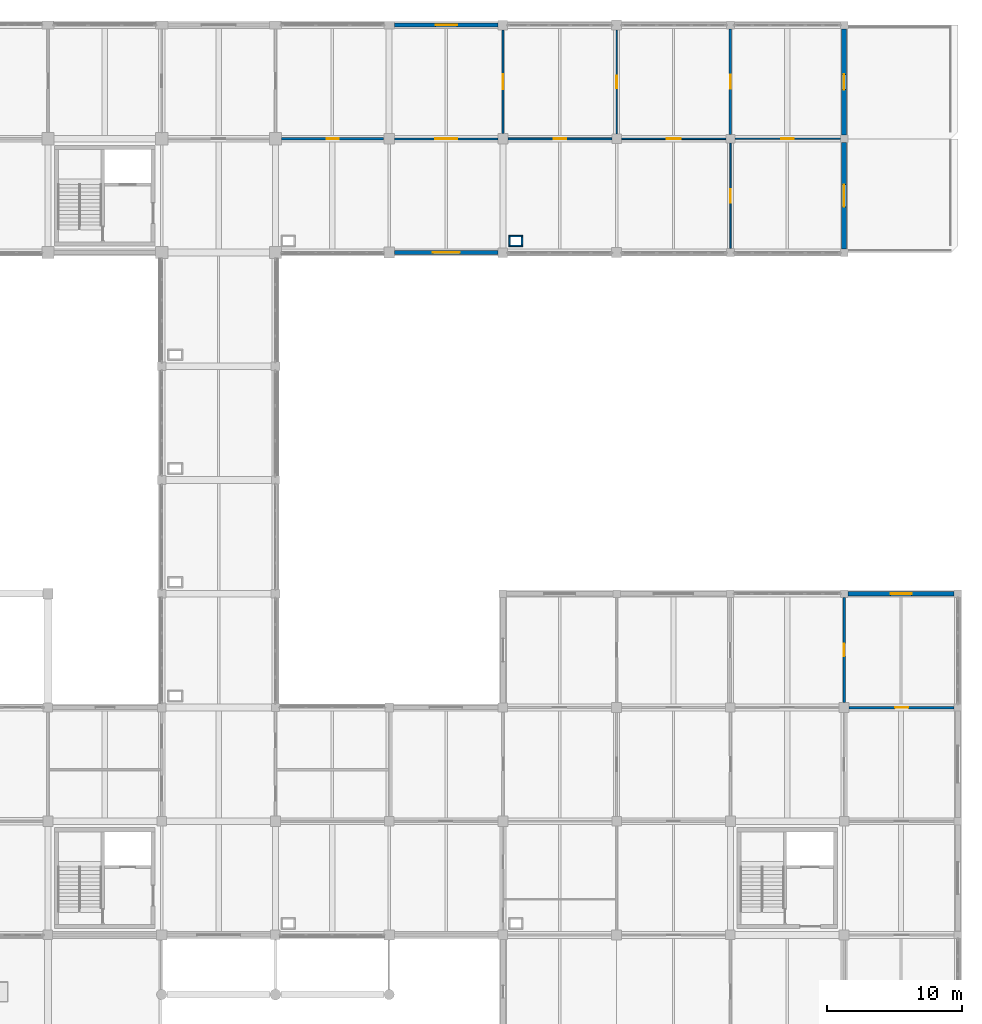
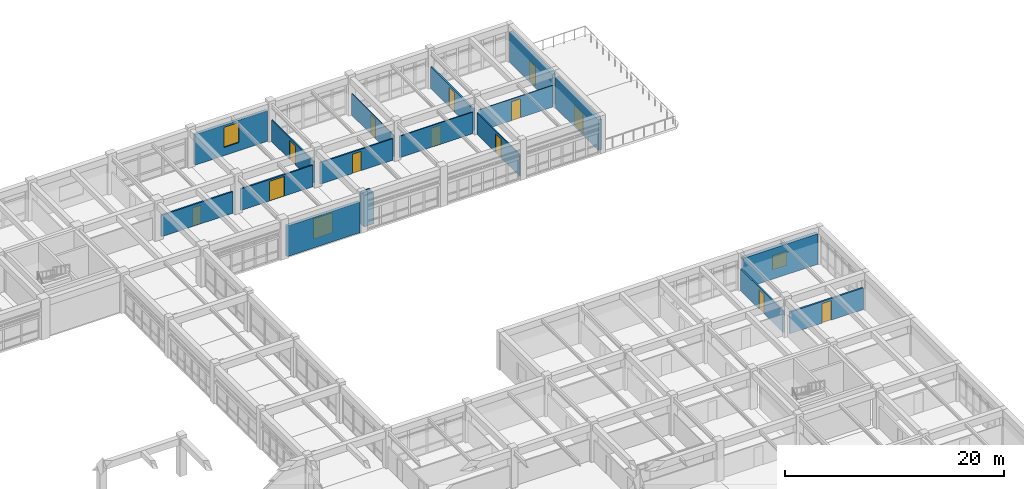
# One storey, part 94 of 99: 20 walls, 13 doors, 3 windows, 16 openings.
"""IFC4 building model written with IfcOpenShell, lengths in metres."""

from ifc_helpers import new_model, si_unit, direction, frame, frame_2d, origin, place, context, subcontext, project, spatial, rectangle, extrude, material, layer, layer_set, type_object, element, fill, save


model = new_model("IFC4")

# Units and contexts
model_context = context("Model", 3, precision=1e-05, world=origin(), true_north=direction((0.0, 1.0)))
body_context = subcontext(model_context, "Body", "Model", "MODEL_VIEW")
ifc_project = project(units=[si_unit("LENGTHUNIT", "METRE"), si_unit("AREAUNIT", "SQUARE_METRE"), si_unit("VOLUMEUNIT", "CUBIC_METRE"), si_unit("PLANEANGLEUNIT", "RADIAN"), si_unit("MASSUNIT", "GRAM", prefix="KILO")], contexts=[model_context])

# Site, building, storey
site_placement = place(None, origin())
site = spatial("IfcSite", under=ifc_project, at=site_placement, CompositionType="ELEMENT")
building_placement = place(site_placement, origin())
building = spatial("IfcBuilding", under=site, at=building_placement, Name="Porcellanite Civic Hall", CompositionType="ELEMENT")
storey_placement = place(building_placement, frame((0.0, 0.0, 5.760009765625)))
storey = spatial("IfcBuildingStorey", under=building, at=storey_placement, Name="L01", CompositionType="ELEMENT", Elevation=5.760009765625)

# Wall, opening, window
ifc_material_1 = material(Name="Precast concrete N40 (40 MPa)", Category="concrete")
ifc_layer_1 = layer(ifc_material_1, 0.300048828125)
ifc_layer_set_1 = layer_set([ifc_layer_1], Name="Precast concrete N40 (40 MPa)")
wall_type_1 = type_object("IfcWallType", Name="EW-ADM300", PredefinedType="SOLIDWALL", material=ifc_layer_set_1)
wall_1_placement = place(storey_placement, frame((142.448974609375, 100.800048828125, 0.0), z_axis=(0.0, 0.0, 1.0), x_axis=(-1.0, 0.0, 0.0)))
wall_1 = element("IfcWall", 1, at=wall_1_placement, inside=storey, type_object=wall_type_1, Name="Exterior wall L01 S 17-13", PredefinedType="SOLIDWALL", context=body_context, shape_type="SweptSolid", body=[
    extrude(rectangle(XDim=7.64794921875, YDim=0.300048828125, at=frame_2d((3.823974609375, 0.0))), origin(), (0.0, 0.0, 1.0), 3.39990234375),
])
opening_1_placement = place(wall_1_placement, frame((2.823974609375, 0.0, 0.89990234375)))
opening_1 = element("IfcOpeningElement", 2, at=opening_1_placement, cuts=wall_1, Name="Opening W20", PredefinedType="OPENING", context=body_context, shape_type="SweptSolid", body=[
    extrude(rectangle(XDim=2.0, YDim=2.25, at=frame_2d((1.0, 1.125))), frame((0.0, 0.14990234375, 0.0), z_axis=(0.0, -1.0, 0.0), x_axis=(1.0, 0.0, 0.0)), (0.0, 0.0, 1.0), 0.300048828125),
])
ifc_material_2 = material(Name="Cyclone laminated low-E glazing in anodised aluminium frame", Category="aluminium")
window_type_1 = type_object("IfcWindowType", Name="WN-20", PartitioningType="DOUBLE_PANEL_VERTICAL", PredefinedType="WINDOW", material=ifc_material_2)
window_1_placement = place(opening_1_placement, origin())
window_1 = element("IfcWindow", 3, at=window_1_placement, inside=storey, type_object=window_type_1, Name="Window W20 L01 S 17-13", OverallHeight=2.25, OverallWidth=2.0, PartitioningType="SINGLE_PANEL", PredefinedType="WINDOW", context=body_context, shape_type="SweptSolid", body=[
    extrude(rectangle(XDim=2.0, YDim=2.25, at=frame_2d((1.0, 1.125))), frame((0.0, 0.030029296875, 0.0), z_axis=(0.0, -1.0, 0.0), x_axis=(1.0, 0.0, 0.0)), (0.0, 0.0, 1.0), 0.06005859375),
])
fill(opening_1, window_1)

wall_2_placement = place(storey_placement, frame((134.801025390625, 117.60009765625, 0.0), z_axis=(0.0, 0.0, 1.0), x_axis=(1.0, 0.0, 0.0)))
wall_2 = element("IfcWall", 4, at=wall_2_placement, inside=storey, type_object=wall_type_1, Name="Exterior wall L01 N 17-14", PredefinedType="SOLIDWALL", context=body_context, shape_type="SweptSolid", body=[
    extrude(rectangle(XDim=7.64794921875, YDim=0.300048828125, at=frame_2d((3.823974609375, 0.0))), origin(), (0.0, 0.0, 1.0), 3.39990234375),
])
opening_2_placement = place(wall_2_placement, frame((3.02392578125, 0.0, 0.89990234375)))
opening_2 = element("IfcOpeningElement", 5, at=opening_2_placement, cuts=wall_2, Name="Opening W21", PredefinedType="OPENING", context=body_context, shape_type="SweptSolid", body=[
    extrude(rectangle(XDim=1.60009765625, YDim=2.25, at=frame_2d((0.800048828125, 1.125))), frame((0.0, 0.14990234375, 0.0), z_axis=(0.0, -1.0, 0.0), x_axis=(1.0, 0.0, 0.0)), (0.0, 0.0, 1.0), 0.300048828125),
])
ifc_material_3 = material(Name="Cyclone laminated low-E glazing in anodised aluminium frame", Category="aluminium")
window_type_2 = type_object("IfcWindowType", Name="WN-21", PartitioningType="DOUBLE_PANEL_VERTICAL", PredefinedType="WINDOW", material=ifc_material_3)
window_2_placement = place(opening_2_placement, origin())
window_2 = element("IfcWindow", 6, at=window_2_placement, inside=storey, type_object=window_type_2, Name="Window W21 L01 N 17-14", OverallHeight=2.25, OverallWidth=1.60009765625, PartitioningType="SINGLE_PANEL", PredefinedType="WINDOW", context=body_context, shape_type="SweptSolid", body=[
    extrude(rectangle(XDim=1.60009765625, YDim=2.25, at=frame_2d((0.800048828125, 1.125))), frame((0.0, 0.030029296875, 0.0), z_axis=(0.0, -1.0, 0.0), x_axis=(1.0, 0.0, 0.0)), (0.0, 0.0, 1.0), 0.06005859375),
])
fill(opening_2, window_2)

# Wall, opening, door
ifc_material_4 = material(Name="Precast concrete N40 (40 MPa)", Category="concrete")
ifc_layer_2 = layer(ifc_material_4, 0.360107421875)
ifc_layer_set_2 = layer_set([ifc_layer_2], Name="Precast concrete N40 (40 MPa)")
wall_type_2 = type_object("IfcWallType", Name="EW-LIB360", PredefinedType="SOLIDWALL", material=ifc_layer_set_2)
wall_3_placement = place(storey_placement, frame((168.0, 108.924072265625, 0.0), z_axis=(0.0, 0.0, 1.0), x_axis=(0.0, -1.0, 0.0)))
wall_3 = element("IfcWall", 7, at=wall_3_placement, inside=storey, type_object=wall_type_2, Name="Exterior wall L01 E 20-13", PredefinedType="SOLIDWALL", context=body_context, shape_type="SweptSolid", body=[
    extrude(rectangle(XDim=7.84814453125, YDim=0.360107421875, at=frame_2d((3.924072265625, 0.0))), origin(), (0.0, 0.0, 1.0), 3.39990234375),
])
opening_3_placement = place(wall_3_placement, frame((3.09912109375, 0.0, 0.0)))
opening_3 = element("IfcOpeningElement", 8, at=opening_3_placement, cuts=wall_3, Name="Opening TD-01", PredefinedType="OPENING", context=body_context, shape_type="SweptSolid", body=[
    extrude(rectangle(XDim=1.64990234375, YDim=2.199951171875, at=frame_2d((0.824951171875, 1.10009765625))), frame((0.0, 0.18017578125, 0.0), z_axis=(0.0, -1.0, 0.0), x_axis=(1.0, 0.0, 0.0)), (0.0, 0.0, 1.0), 0.360107421875),
])
ifc_material_5 = material(Name="Anodised aluminium and laminated safety glass", Category="aluminium")
door_type_1 = type_object("IfcDoorType", Name="DR-TER165", OperationType="DOUBLE_DOOR_SINGLE_SWING", PredefinedType="DOOR", material=ifc_material_5)
door_1_placement = place(opening_3_placement, origin())
door_1 = element("IfcDoor", 9, at=door_1_placement, inside=storey, type_object=door_type_1, Name="Civic terrace door TD-01", OperationType="DOUBLE_DOOR_SINGLE_SWING", OverallHeight=2.199951171875, OverallWidth=1.64990234375, PredefinedType="DOOR", context=body_context, shape_type="SweptSolid", body=[
    extrude(rectangle(XDim=1.64990234375, YDim=2.199951171875, at=frame_2d((0.824951171875, 1.10009765625))), frame((0.0, 0.02490234375, 0.0), z_axis=(0.0, -1.0, 0.0), x_axis=(1.0, 0.0, 0.0)), (0.0, 0.0, 1.0), 0.050048828125),
])
fill(opening_3, door_1)

wall_4_placement = place(storey_placement, frame((168.0, 117.323974609375, 0.0), z_axis=(0.0, 0.0, 1.0), x_axis=(0.0, -1.0, 0.0)))
wall_4 = element("IfcWall", 10, at=wall_4_placement, inside=storey, type_object=wall_type_2, Name="Exterior wall L01 E 20-14", PredefinedType="SOLIDWALL", context=body_context, shape_type="SweptSolid", body=[
    extrude(rectangle(XDim=7.847900390625, YDim=0.360107421875, at=frame_2d((3.923828125, 0.0))), origin(), (0.0, 0.0, 1.0), 3.39990234375),
])
opening_4_placement = place(wall_4_placement, frame((3.364013671875, 0.0, 0.0)))
opening_4 = element("IfcOpeningElement", 11, at=opening_4_placement, cuts=wall_4, Name="Opening TD-02", PredefinedType="OPENING", context=body_context, shape_type="SweptSolid", body=[
    extrude(rectangle(XDim=1.1201171875, YDim=2.199951171875, at=frame_2d((0.56005859375, 1.10009765625))), frame((0.0, 0.18017578125, 0.0), z_axis=(0.0, -1.0, 0.0), x_axis=(1.0, 0.0, 0.0)), (0.0, 0.0, 1.0), 0.360107421875),
])
ifc_material_6 = material(Name="Anodised aluminium and laminated safety glass", Category="aluminium")
door_type_2 = type_object("IfcDoorType", Name="DR-TER112", OperationType="NOTDEFINED", PredefinedType="DOOR", material=ifc_material_6)
door_2_placement = place(opening_4_placement, origin())
door_2 = element("IfcDoor", 12, at=door_2_placement, inside=storey, type_object=door_type_2, Name="Civic terrace door TD-02", OperationType="SINGLE_SWING_LEFT", OverallHeight=2.199951171875, OverallWidth=1.1201171875, PredefinedType="DOOR", context=body_context, shape_type="SweptSolid", body=[
    extrude(rectangle(XDim=1.1201171875, YDim=2.199951171875, at=frame_2d((0.56005859375, 1.10009765625))), frame((0.0, 0.02490234375, 0.0), z_axis=(0.0, -1.0, 0.0), x_axis=(1.0, 0.0, 0.0)), (0.0, 0.0, 1.0), 0.050048828125),
])
fill(opening_4, door_2)

# Wall, opening, window
wall_5_placement = place(storey_placement, frame((168.27587890625, 75.60009765625, 0.0), z_axis=(0.0, 0.0, 1.0), x_axis=(1.0, 0.0, 0.0)))
wall_5 = element("IfcWall", 13, at=wall_5_placement, inside=storey, type_object=wall_type_2, Name="Exterior wall L01 N 21-9", PredefinedType="SOLIDWALL", context=body_context, shape_type="SweptSolid", body=[
    extrude(rectangle(XDim=7.84814453125, YDim=0.360107421875, at=frame_2d((3.924072265625, 0.0))), origin(), (0.0, 0.0, 1.0), 3.39990234375),
])
opening_5_placement = place(wall_5_placement, frame((3.14892578125, 0.0, 0.89990234375)))
opening_5 = element("IfcOpeningElement", 14, at=opening_5_placement, cuts=wall_5, Name="Opening W38", PredefinedType="OPENING", context=body_context, shape_type="SweptSolid", body=[
    extrude(rectangle(XDim=1.550048828125, YDim=1.60009765625, at=frame_2d((0.77490234375, 0.800048828125))), frame((0.0, 0.18017578125, 0.0), z_axis=(0.0, -1.0, 0.0), x_axis=(1.0, 0.0, 0.0)), (0.0, 0.0, 1.0), 0.360107421875),
])
ifc_material_7 = material(Name="Cyclone laminated low-E glazing in anodised aluminium frame", Category="aluminium")
window_type_3 = type_object("IfcWindowType", Name="WN-38", PartitioningType="SINGLE_PANEL", PredefinedType="WINDOW", material=ifc_material_7)
window_3_placement = place(opening_5_placement, origin())
window_3 = element("IfcWindow", 15, at=window_3_placement, inside=storey, type_object=window_type_3, Name="Window W38 L01 N 21-9", OverallHeight=1.60009765625, OverallWidth=1.550048828125, PartitioningType="SINGLE_PANEL", PredefinedType="WINDOW", context=body_context, shape_type="SweptSolid", body=[
    extrude(rectangle(XDim=1.550048828125, YDim=1.60009765625, at=frame_2d((0.77490234375, 0.800048828125))), frame((0.0, 0.030029296875, 0.0), z_axis=(0.0, -1.0, 0.0), x_axis=(1.0, 0.0, 0.0)), (0.0, 0.0, 1.0), 0.06005859375),
])
fill(opening_5, window_3)

# Walls
ifc_material_8 = material(Name="Fire-rated shaftwall plasterboard on steel studs", Category="steel")
ifc_layer_3 = layer(ifc_material_8, 0.117919921875)
ifc_layer_set_3 = layer_set([ifc_layer_3], Name="Fire-rated shaftwall plasterboard on steel studs")
wall_type_3 = type_object("IfcWallType", Name="IW-FR118", PredefinedType="PARTITIONING", material=ifc_layer_set_3)
for number, where, z_axis, x_axis, name in (
    (16, (143.23193359375, 101.291015625, 0.0), (0.0, 0.0, 1.0), (1.0, 0.0, 0.0), "Fire riser shaftwall S L01 17-12"),
    (17, (143.23193359375, 102.009033203125, 0.0), (0.0, 0.0, 1.0), (1.0, 0.0, 0.0), "Fire riser shaftwall N L01 17-12"),
):
    element("IfcWall", number, at=place(storey_placement, frame(where, z_axis=z_axis, x_axis=x_axis)), inside=storey, type_object=wall_type_3, Name=name, PredefinedType="PARTITIONING", context=body_context, shape_type="SweptSolid", body=[
        extrude(rectangle(XDim=1.0361328125, YDim=0.117919921875, at=frame_2d((0.51806640625, 0.0))), origin(), (0.0, 0.0, 1.0), 3.47998046875),
    ])
for number, where, z_axis, x_axis, name in (
    (18, (143.291015625, 101.35009765625, 0.0), (0.0, 0.0, 1.0), (0.0, 1.0, 0.0), "Fire riser shaftwall W L01 17-12"),
    (19, (144.208984375, 101.35009765625, 0.0), (0.0, 0.0, 1.0), (0.0, 1.0, 0.0), "Fire riser shaftwall E L01 17-12"),
):
    element("IfcWall", number, at=place(storey_placement, frame(where, z_axis=z_axis, x_axis=x_axis)), inside=storey, type_object=wall_type_3, Name=name, PredefinedType="PARTITIONING", context=body_context, shape_type="SweptSolid", body=[
        extrude(rectangle(XDim=0.599853515625, YDim=0.117919921875, at=frame_2d((0.2998046875, 0.0))), origin(), (0.0, 0.0, 1.0), 3.47998046875),
    ])

# Wall, opening, door
ifc_material_9 = material(Name="Fire-rated plasterboard on light-gauge steel studs", Category="steel")
ifc_layer_4 = layer(ifc_material_9, 0.14794921875)
ifc_layer_set_4 = layer_set([ifc_layer_4], Name="Fire-rated plasterboard on light-gauge steel studs")
wall_type_4 = type_object("IfcWallType", Name="IW-FR148", PredefinedType="PARTITIONING", material=ifc_layer_set_4)
wall_6_placement = place(storey_placement, frame((134.802001953125, 109.199951171875, 0.0), z_axis=(0.0, 0.0, 1.0), x_axis=(1.0, 0.0, 0.0)))
wall_6 = element("IfcWall", 20, at=wall_6_placement, inside=storey, type_object=wall_type_4, Name="Fire compartment wall L01 H 17-13", PredefinedType="PARTITIONING", context=body_context, shape_type="SweptSolid", body=[
    extrude(rectangle(XDim=7.62109375, YDim=0.14794921875, at=frame_2d((3.810546875, 0.0))), origin(), (0.0, 0.0, 1.0), 2.39990234375),
])
opening_6_placement = place(wall_6_placement, frame((3.010986328125, 0.0, 0.0)))
opening_6 = element("IfcOpeningElement", 21, at=opening_6_placement, cuts=wall_6, Name="Opening D-L01-202", PredefinedType="OPENING", context=body_context, shape_type="SweptSolid", body=[
    extrude(rectangle(XDim=1.60009765625, YDim=2.199951171875, at=frame_2d((0.800048828125, 1.10009765625))), frame((0.0, 0.073974609375, 0.0), z_axis=(0.0, -1.0, 0.0), x_axis=(1.0, 0.0, 0.0)), (0.0, 0.0, 1.0), 0.14794921875),
])
ifc_material_10 = material(Name="Fire-rated steel and Georgian wired glass", Category="steel")
door_type_3 = type_object("IfcDoorType", Name="DR-FD160", OperationType="DOUBLE_DOOR_SINGLE_SWING", PredefinedType="DOOR", material=ifc_material_10)
door_3_placement = place(opening_6_placement, origin())
door_3 = element("IfcDoor", 22, at=door_3_placement, inside=storey, type_object=door_type_3, Name="Interior door D-L01-202", OperationType="DOUBLE_DOOR_SINGLE_SWING", OverallHeight=2.199951171875, OverallWidth=1.60009765625, PredefinedType="DOOR", context=body_context, shape_type="SweptSolid", body=[
    extrude(rectangle(XDim=1.60009765625, YDim=2.199951171875, at=frame_2d((0.800048828125, 1.10009765625))), frame((0.0, 0.02490234375, 0.0), z_axis=(0.0, -1.0, 0.0), x_axis=(1.0, 0.0, 0.0)), (0.0, 0.0, 1.0), 0.050048828125),
])
fill(opening_6, door_3)

wall_7_placement = place(storey_placement, frame((142.800048828125, 109.576904296875, 0.0), z_axis=(0.0, 0.0, 1.0), x_axis=(0.0, 1.0, 0.0)))
wall_7 = element("IfcWall", 23, at=wall_7_placement, inside=storey, type_object=wall_type_4, Name="Fire compartment wall L01 V 17-14", PredefinedType="PARTITIONING", context=body_context, shape_type="SweptSolid", body=[
    extrude(rectangle(XDim=7.671142578125, YDim=0.14794921875, at=frame_2d((3.83544921875, 0.0))), origin(), (0.0, 0.0, 1.0), 2.39990234375),
])
opening_7_placement = place(wall_7_placement, frame((3.284912109375, 0.0, 0.0)))
opening_7 = element("IfcOpeningElement", 24, at=opening_7_placement, cuts=wall_7, Name="Opening D-L01-269", PredefinedType="OPENING", context=body_context, shape_type="SweptSolid", body=[
    extrude(rectangle(XDim=1.10009765625, YDim=2.14990234375, at=frame_2d((0.550048828125, 1.074951171875))), frame((0.0, 0.073974609375, 0.0), z_axis=(0.0, -1.0, 0.0), x_axis=(1.0, 0.0, 0.0)), (0.0, 0.0, 1.0), 0.14794921875),
])
ifc_material_11 = material(Name="Fire-rated solid-core hardwood timber", Category="wood")
door_type_4 = type_object("IfcDoorType", Name="DR-FD110", OperationType="NOTDEFINED", PredefinedType="DOOR", material=ifc_material_11)
door_4_placement = place(opening_7_placement, origin())
door_4 = element("IfcDoor", 25, at=door_4_placement, inside=storey, type_object=door_type_4, Name="Interior door D-L01-269", OperationType="SINGLE_SWING_LEFT", OverallHeight=2.14990234375, OverallWidth=1.10009765625, PredefinedType="DOOR", context=body_context, shape_type="SweptSolid", body=[
    extrude(rectangle(XDim=1.10009765625, YDim=2.14990234375, at=frame_2d((0.550048828125, 1.074951171875))), frame((0.0, 0.02490234375, 0.0), z_axis=(0.0, -1.0, 0.0), x_axis=(1.0, 0.0, 0.0)), (0.0, 0.0, 1.0), 0.050048828125),
])
fill(opening_7, door_4)

ifc_material_12 = material(Name="Fire-rated plasterboard on light-gauge steel studs", Category="steel")
ifc_layer_5 = layer(ifc_material_12, 0.159912109375)
ifc_layer_set_5 = layer_set([ifc_layer_5], Name="Fire-rated plasterboard on light-gauge steel studs")
wall_type_5 = type_object("IfcWallType", Name="IW-FR160", PredefinedType="PARTITIONING", material=ifc_layer_set_5)
wall_8_placement = place(storey_placement, frame((126.451904296875, 109.199951171875, 0.0), z_axis=(0.0, 0.0, 1.0), x_axis=(1.0, 0.0, 0.0)))
wall_8 = element("IfcWall", 26, at=wall_8_placement, inside=storey, type_object=wall_type_5, Name="Fire compartment wall L01 H 16-13", PredefinedType="PARTITIONING", context=body_context, shape_type="SweptSolid", body=[
    extrude(rectangle(XDim=7.546142578125, YDim=0.159912109375, at=frame_2d((3.77294921875, 0.0))), origin(), (0.0, 0.0, 1.0), 2.39990234375),
])
opening_8_placement = place(wall_8_placement, frame((3.322998046875, 0.0, 0.0)))
opening_8 = element("IfcOpeningElement", 27, at=opening_8_placement, cuts=wall_8, Name="Opening D-L01-200", PredefinedType="OPENING", context=body_context, shape_type="SweptSolid", body=[
    extrude(rectangle(XDim=0.89990234375, YDim=2.050048828125, at=frame_2d((0.449951171875, 1.02490234375))), frame((0.0, 0.080078125, 0.0), z_axis=(0.0, -1.0, 0.0), x_axis=(1.0, 0.0, 0.0)), (0.0, 0.0, 1.0), 0.159912109375),
])
ifc_material_13 = material(Name="Fire-rated steel riser access leaf", Category="steel")
door_type_5 = type_object("IfcDoorType", Name="DR-FD090", OperationType="NOTDEFINED", PredefinedType="DOOR", material=ifc_material_13)
door_5_placement = place(opening_8_placement, origin())
door_5 = element("IfcDoor", 28, at=door_5_placement, inside=storey, type_object=door_type_5, Name="Interior door D-L01-200", OperationType="SINGLE_SWING_LEFT", OverallHeight=2.050048828125, OverallWidth=0.89990234375, PredefinedType="DOOR", context=body_context, shape_type="SweptSolid", body=[
    extrude(rectangle(XDim=0.89990234375, YDim=2.050048828125, at=frame_2d((0.449951171875, 1.02490234375))), frame((0.0, 0.02490234375, 0.0), z_axis=(0.0, -1.0, 0.0), x_axis=(1.0, 0.0, 0.0)), (0.0, 0.0, 1.0), 0.050048828125),
])
fill(opening_8, door_5)

ifc_material_14 = material(Name="Insulated acoustic plasterboard on light-gauge steel studs", Category="steel")
ifc_layer_6 = layer(ifc_material_14, 0.087890625)
ifc_layer_set_6 = layer_set([ifc_layer_6], Name="Insulated acoustic plasterboard on light-gauge steel studs")
wall_type_6 = type_object("IfcWallType", Name="IW-PT088", PredefinedType="PARTITIONING", material=ifc_layer_set_6)
wall_9_placement = place(storey_placement, frame((159.927001953125, 109.199951171875, 0.0), z_axis=(0.0, 0.0, 1.0), x_axis=(1.0, 0.0, 0.0)))
wall_9 = element("IfcWall", 29, at=wall_9_placement, inside=storey, type_object=wall_type_6, Name="Partition L01 H 20-13", PredefinedType="PARTITIONING", context=body_context, shape_type="SweptSolid", body=[
    extrude(rectangle(XDim=7.7958984375, YDim=0.087890625, at=frame_2d((3.89794921875, 0.0))), origin(), (0.0, 0.0, 1.0), 2.39990234375),
])
opening_9_placement = place(wall_9_placement, frame((3.43310546875, 0.0, 0.0)))
opening_9 = element("IfcOpeningElement", 30, at=opening_9_placement, cuts=wall_9, Name="Opening D-L01-246", PredefinedType="OPENING", context=body_context, shape_type="SweptSolid", body=[
    extrude(rectangle(XDim=0.929931640625, YDim=2.1201171875, at=frame_2d((0.46484375, 1.06005859375))), frame((0.0, 0.0439453125, 0.0), z_axis=(0.0, -1.0, 0.0), x_axis=(1.0, 0.0, 0.0)), (0.0, 0.0, 1.0), 0.087890625),
])
ifc_material_15 = material(Name="Solid-core spotted-gum timber", Category="wood")
door_type_6 = type_object("IfcDoorType", Name="DR-RM093", OperationType="NOTDEFINED", PredefinedType="DOOR", material=ifc_material_15)
door_6_placement = place(opening_9_placement, origin())
door_6 = element("IfcDoor", 31, at=door_6_placement, inside=storey, type_object=door_type_6, Name="Interior door D-L01-246", OperationType="SINGLE_SWING_RIGHT", OverallHeight=2.1201171875, OverallWidth=0.929931640625, PredefinedType="DOOR", context=body_context, shape_type="SweptSolid", body=[
    extrude(rectangle(XDim=0.929931640625, YDim=2.1201171875, at=frame_2d((0.46484375, 1.06005859375))), frame((0.0, 0.02490234375, 0.0), z_axis=(0.0, -1.0, 0.0), x_axis=(1.0, 0.0, 0.0)), (0.0, 0.0, 1.0), 0.050048828125),
])
fill(opening_9, door_6)

ifc_material_16 = material(Name="Insulated acoustic plasterboard on light-gauge steel studs", Category="steel")
ifc_layer_7 = layer(ifc_material_16, 0.094970703125)
ifc_layer_set_7 = layer_set([ifc_layer_7], Name="Insulated acoustic plasterboard on light-gauge steel studs")
wall_type_7 = type_object("IfcWallType", Name="IW-PT095", PredefinedType="PARTITIONING", material=ifc_layer_set_7)
wall_10_placement = place(storey_placement, frame((151.199951171875, 109.552001953125, 0.0), z_axis=(0.0, 0.0, 1.0), x_axis=(0.0, 1.0, 0.0)))
wall_10 = element("IfcWall", 32, at=wall_10_placement, inside=storey, type_object=wall_type_7, Name="Partition L01 V 18-14", PredefinedType="PARTITIONING", context=body_context, shape_type="SweptSolid", body=[
    extrude(rectangle(XDim=7.6708984375, YDim=0.094970703125, at=frame_2d((3.83544921875, 0.0))), origin(), (0.0, 0.0, 1.0), 2.39990234375),
])
opening_10_placement = place(wall_10_placement, frame((3.37109375, 0.0, 0.0)))
opening_10 = element("IfcOpeningElement", 33, at=opening_10_placement, cuts=wall_10, Name="Opening D-L01-298", PredefinedType="OPENING", context=body_context, shape_type="SweptSolid", body=[
    extrude(rectangle(XDim=0.929931640625, YDim=2.1201171875, at=frame_2d((0.46484375, 1.06005859375))), frame((0.0, 0.04736328125, 0.0), z_axis=(0.0, -1.0, 0.0), x_axis=(1.0, 0.0, 0.0)), (0.0, 0.0, 1.0), 0.094970703125),
])
door_7_placement = place(opening_10_placement, origin())
door_7 = element("IfcDoor", 34, at=door_7_placement, inside=storey, type_object=door_type_6, Name="Interior door D-L01-298", OperationType="SINGLE_SWING_RIGHT", OverallHeight=2.1201171875, OverallWidth=0.929931640625, PredefinedType="DOOR", context=body_context, shape_type="SweptSolid", body=[
    extrude(rectangle(XDim=0.929931640625, YDim=2.1201171875, at=frame_2d((0.46484375, 1.06005859375))), frame((0.0, 0.02490234375, 0.0), z_axis=(0.0, -1.0, 0.0), x_axis=(1.0, 0.0, 0.0)), (0.0, 0.0, 1.0), 0.050048828125),
])
fill(opening_10, door_7)

ifc_material_17 = material(Name="Insulated acoustic plasterboard on light-gauge steel studs", Category="steel")
ifc_layer_8 = layer(ifc_material_17, 0.114990234375)
ifc_layer_set_8 = layer_set([ifc_layer_8], Name="Insulated acoustic plasterboard on light-gauge steel studs")
wall_type_8 = type_object("IfcWallType", Name="IW-PT115", PredefinedType="PARTITIONING", material=ifc_layer_set_8)
wall_11_placement = place(storey_placement, frame((151.552001953125, 109.199951171875, 0.0), z_axis=(0.0, 0.0, 1.0), x_axis=(1.0, 0.0, 0.0)))
wall_11 = element("IfcWall", 35, at=wall_11_placement, inside=storey, type_object=wall_type_8, Name="Partition L01 H 19-13", PredefinedType="PARTITIONING", context=body_context, shape_type="SweptSolid", body=[
    extrude(rectangle(XDim=7.720947265625, YDim=0.114990234375, at=frame_2d((3.8603515625, 0.0))), origin(), (0.0, 0.0, 1.0), 2.39990234375),
])
opening_11_placement = place(wall_11_placement, frame((3.3359375, 0.0, 0.0)))
opening_11 = element("IfcOpeningElement", 36, at=opening_11_placement, cuts=wall_11, Name="Opening D-L01-204", PredefinedType="OPENING", context=body_context, shape_type="SweptSolid", body=[
    extrude(rectangle(XDim=1.050048828125, YDim=2.1201171875, at=frame_2d((0.52490234375, 1.06005859375))), frame((0.0, 0.0576171875, 0.0), z_axis=(0.0, -1.0, 0.0), x_axis=(1.0, 0.0, 0.0)), (0.0, 0.0, 1.0), 0.114990234375),
])
ifc_material_18 = material(Name="Solid-core spotted-gum timber", Category="wood")
door_type_7 = type_object("IfcDoorType", Name="DR-RM105", OperationType="NOTDEFINED", PredefinedType="DOOR", material=ifc_material_18)
door_8_placement = place(opening_11_placement, origin())
door_8 = element("IfcDoor", 37, at=door_8_placement, inside=storey, type_object=door_type_7, Name="Interior door D-L01-204", OperationType="SINGLE_SWING_RIGHT", OverallHeight=2.1201171875, OverallWidth=1.050048828125, PredefinedType="DOOR", context=body_context, shape_type="SweptSolid", body=[
    extrude(rectangle(XDim=1.050048828125, YDim=2.1201171875, at=frame_2d((0.52490234375, 1.06005859375))), frame((0.0, 0.02490234375, 0.0), z_axis=(0.0, -1.0, 0.0), x_axis=(1.0, 0.0, 0.0)), (0.0, 0.0, 1.0), 0.050048828125),
])
fill(opening_11, door_8)

wall_12_placement = place(storey_placement, frame((159.60009765625, 101.10205078125, 0.0), z_axis=(0.0, 0.0, 1.0), x_axis=(0.0, 1.0, 0.0)))
wall_12 = element("IfcWall", 38, at=wall_12_placement, inside=storey, type_object=wall_type_8, Name="Partition L01 V 19-13", PredefinedType="PARTITIONING", context=body_context, shape_type="SweptSolid", body=[
    extrude(rectangle(XDim=7.77099609375, YDim=0.114990234375, at=frame_2d((3.885498046875, 0.0))), origin(), (0.0, 0.0, 1.0), 2.39990234375),
])
opening_12_placement = place(wall_12_placement, frame((3.381103515625, 0.0, 0.0)))
opening_12 = element("IfcOpeningElement", 39, at=opening_12_placement, cuts=wall_12, Name="Opening D-L01-218", PredefinedType="OPENING", context=body_context, shape_type="SweptSolid", body=[
    extrude(rectangle(XDim=1.010009765625, YDim=2.1201171875, at=frame_2d((0.5048828125, 1.06005859375))), frame((0.0, 0.0576171875, 0.0), z_axis=(0.0, -1.0, 0.0), x_axis=(1.0, 0.0, 0.0)), (0.0, 0.0, 1.0), 0.114990234375),
])
ifc_material_19 = material(Name="Solid-core spotted-gum timber", Category="wood")
door_type_8 = type_object("IfcDoorType", Name="DR-RM101", OperationType="NOTDEFINED", PredefinedType="DOOR", material=ifc_material_19)
door_9_placement = place(opening_12_placement, origin())
door_9 = element("IfcDoor", 40, at=door_9_placement, inside=storey, type_object=door_type_8, Name="Interior door D-L01-218", OperationType="SINGLE_SWING_RIGHT", OverallHeight=2.1201171875, OverallWidth=1.010009765625, PredefinedType="DOOR", context=body_context, shape_type="SweptSolid", body=[
    extrude(rectangle(XDim=1.010009765625, YDim=2.1201171875, at=frame_2d((0.5048828125, 1.06005859375))), frame((0.0, 0.02490234375, 0.0), z_axis=(0.0, -1.0, 0.0), x_axis=(1.0, 0.0, 0.0)), (0.0, 0.0, 1.0), 0.050048828125),
])
fill(opening_12, door_9)

ifc_material_20 = material(Name="Insulated acoustic plasterboard on light-gauge steel studs", Category="steel")
ifc_layer_9 = layer(ifc_material_20, 0.14501953125)
ifc_layer_set_9 = layer_set([ifc_layer_9], Name="Insulated acoustic plasterboard on light-gauge steel studs")
wall_type_9 = type_object("IfcWallType", Name="IW-PT145", PredefinedType="PARTITIONING", material=ifc_layer_set_9)
wall_13_placement = place(storey_placement, frame((143.177001953125, 109.199951171875, 0.0), z_axis=(0.0, 0.0, 1.0), x_axis=(1.0, 0.0, 0.0)))
wall_13 = element("IfcWall", 41, at=wall_13_placement, inside=storey, type_object=wall_type_9, Name="Partition L01 H 18-13", PredefinedType="PARTITIONING", context=body_context, shape_type="SweptSolid", body=[
    extrude(rectangle(XDim=7.6708984375, YDim=0.14501953125, at=frame_2d((3.83544921875, 0.0))), origin(), (0.0, 0.0, 1.0), 2.39990234375),
])
opening_13_placement = place(wall_13_placement, frame((3.3759765625, 0.0, 0.0)))
opening_13 = element("IfcOpeningElement", 42, at=opening_13_placement, cuts=wall_13, Name="Opening D-L01-203", PredefinedType="OPENING", context=body_context, shape_type="SweptSolid", body=[
    extrude(rectangle(XDim=0.919921875, YDim=2.14990234375, at=frame_2d((0.4599609375, 1.074951171875))), frame((0.0, 0.072509765625, 0.0), z_axis=(0.0, -1.0, 0.0), x_axis=(1.0, 0.0, 0.0)), (0.0, 0.0, 1.0), 0.14501953125),
])
ifc_material_21 = material(Name="Solid-core spotted-gum timber", Category="wood")
door_type_9 = type_object("IfcDoorType", Name="DR-RM092", OperationType="NOTDEFINED", PredefinedType="DOOR", material=ifc_material_21)
door_10_placement = place(opening_13_placement, origin())
door_10 = element("IfcDoor", 43, at=door_10_placement, inside=storey, type_object=door_type_9, Name="Interior door D-L01-203", OperationType="SINGLE_SWING_LEFT", OverallHeight=2.14990234375, OverallWidth=0.919921875, PredefinedType="DOOR", context=body_context, shape_type="SweptSolid", body=[
    extrude(rectangle(XDim=0.919921875, YDim=2.14990234375, at=frame_2d((0.4599609375, 1.074951171875))), frame((0.0, 0.02490234375, 0.0), z_axis=(0.0, -1.0, 0.0), x_axis=(1.0, 0.0, 0.0)), (0.0, 0.0, 1.0), 0.050048828125),
])
fill(opening_13, door_10)

ifc_material_22 = material(Name="Insulated acoustic plasterboard on light-gauge steel studs", Category="steel")
ifc_layer_10 = layer(ifc_material_22, 0.1650390625)
ifc_layer_set_10 = layer_set([ifc_layer_10], Name="Insulated acoustic plasterboard on light-gauge steel studs")
wall_type_10 = type_object("IfcWallType", Name="IW-PT165", PredefinedType="PARTITIONING", material=ifc_layer_set_10)
wall_14_placement = place(storey_placement, frame((168.0, 67.576904296875, 0.0), z_axis=(0.0, 0.0, 1.0), x_axis=(0.0, 1.0, 0.0)))
wall_14 = element("IfcWall", 44, at=wall_14_placement, inside=storey, type_object=wall_type_10, Name="Partition L01 V 20-9", PredefinedType="PARTITIONING", context=body_context, shape_type="SweptSolid", body=[
    extrude(rectangle(XDim=7.74609375, YDim=0.1650390625, at=frame_2d((3.873046875, 0.0))), origin(), (0.0, 0.0, 1.0), 2.39990234375),
])
opening_14_placement = place(wall_14_placement, frame((3.4130859375, 0.0, 0.0)))
opening_14 = element("IfcOpeningElement", 45, at=opening_14_placement, cuts=wall_14, Name="Opening D-L01-307", PredefinedType="OPENING", context=body_context, shape_type="SweptSolid", body=[
    extrude(rectangle(XDim=0.919921875, YDim=2.14990234375, at=frame_2d((0.4599609375, 1.074951171875))), frame((0.0, 0.08251953125, 0.0), z_axis=(0.0, -1.0, 0.0), x_axis=(1.0, 0.0, 0.0)), (0.0, 0.0, 1.0), 0.1650390625),
])
door_11_placement = place(opening_14_placement, origin())
door_11 = element("IfcDoor", 46, at=door_11_placement, inside=storey, type_object=door_type_9, Name="Interior door D-L01-307", OperationType="SINGLE_SWING_LEFT", OverallHeight=2.14990234375, OverallWidth=0.919921875, PredefinedType="DOOR", context=body_context, shape_type="SweptSolid", body=[
    extrude(rectangle(XDim=0.919921875, YDim=2.14990234375, at=frame_2d((0.4599609375, 1.074951171875))), frame((0.0, 0.02490234375, 0.0), z_axis=(0.0, -1.0, 0.0), x_axis=(1.0, 0.0, 0.0)), (0.0, 0.0, 1.0), 0.050048828125),
])
fill(opening_14, door_11)

ifc_material_23 = material(Name="Insulated acoustic plasterboard on light-gauge steel studs", Category="steel")
ifc_layer_11 = layer(ifc_material_23, 0.18505859375)
ifc_layer_set_11 = layer_set([ifc_layer_11], Name="Insulated acoustic plasterboard on light-gauge steel studs")
wall_type_11 = type_object("IfcWallType", Name="IW-PT185", PredefinedType="PARTITIONING", material=ifc_layer_set_11)
wall_15_placement = place(storey_placement, frame((168.376953125, 67.199951171875, 0.0), z_axis=(0.0, 0.0, 1.0), x_axis=(1.0, 0.0, 0.0)))
wall_15 = element("IfcWall", 47, at=wall_15_placement, inside=storey, type_object=wall_type_11, Name="Partition L01 H 21-8", PredefinedType="PARTITIONING", context=body_context, shape_type="SweptSolid", body=[
    extrude(rectangle(XDim=7.74609375, YDim=0.18505859375, at=frame_2d((3.873046875, 0.0))), origin(), (0.0, 0.0, 1.0), 2.39990234375),
])
opening_15_placement = place(wall_15_placement, frame((3.383056640625, 0.0, 0.0)))
opening_15 = element("IfcOpeningElement", 48, at=opening_15_placement, cuts=wall_15, Name="Opening D-L01-252", PredefinedType="OPENING", context=body_context, shape_type="SweptSolid", body=[
    extrude(rectangle(XDim=0.97998046875, YDim=2.179931640625, at=frame_2d((0.489990234375, 1.08984375))), frame((0.0, 0.092529296875, 0.0), z_axis=(0.0, -1.0, 0.0), x_axis=(1.0, 0.0, 0.0)), (0.0, 0.0, 1.0), 0.18505859375),
])
ifc_material_24 = material(Name="Solid-core spotted-gum timber", Category="wood")
door_type_10 = type_object("IfcDoorType", Name="DR-RM098", OperationType="NOTDEFINED", PredefinedType="DOOR", material=ifc_material_24)
door_12_placement = place(opening_15_placement, origin())
door_12 = element("IfcDoor", 49, at=door_12_placement, inside=storey, type_object=door_type_10, Name="Interior door D-L01-252", OperationType="SINGLE_SWING_RIGHT", OverallHeight=2.179931640625, OverallWidth=0.97998046875, PredefinedType="DOOR", context=body_context, shape_type="SweptSolid", body=[
    extrude(rectangle(XDim=0.97998046875, YDim=2.179931640625, at=frame_2d((0.489990234375, 1.08984375))), frame((0.0, 0.02490234375, 0.0), z_axis=(0.0, -1.0, 0.0), x_axis=(1.0, 0.0, 0.0)), (0.0, 0.0, 1.0), 0.050048828125),
])
fill(opening_15, door_12)

wall_16_placement = place(storey_placement, frame((159.60009765625, 109.527099609375, 0.0), z_axis=(0.0, 0.0, 1.0), x_axis=(0.0, 1.0, 0.0)))
wall_16 = element("IfcWall", 50, at=wall_16_placement, inside=storey, type_object=wall_type_11, Name="Partition L01 V 19-14", PredefinedType="PARTITIONING", context=body_context, shape_type="SweptSolid", body=[
    extrude(rectangle(XDim=7.77099609375, YDim=0.18505859375, at=frame_2d((3.885498046875, 0.0))), origin(), (0.0, 0.0, 1.0), 2.39990234375),
])
opening_16_placement = place(wall_16_placement, frame((3.375, 0.0, 0.0)))
opening_16 = element("IfcOpeningElement", 51, at=opening_16_placement, cuts=wall_16, Name="Opening D-L01-302", PredefinedType="OPENING", context=body_context, shape_type="SweptSolid", body=[
    extrude(rectangle(XDim=1.02001953125, YDim=2.199951171875, at=frame_2d((0.510009765625, 1.10009765625))), frame((0.0, 0.092529296875, 0.0), z_axis=(0.0, -1.0, 0.0), x_axis=(1.0, 0.0, 0.0)), (0.0, 0.0, 1.0), 0.18505859375),
])
ifc_material_25 = material(Name="Solid-core spotted-gum timber", Category="wood")
door_type_11 = type_object("IfcDoorType", Name="DR-RM102", OperationType="NOTDEFINED", PredefinedType="DOOR", material=ifc_material_25)
door_13_placement = place(opening_16_placement, origin())
door_13 = element("IfcDoor", 52, at=door_13_placement, inside=storey, type_object=door_type_11, Name="Interior door D-L01-302", OperationType="SINGLE_SWING_RIGHT", OverallHeight=2.199951171875, OverallWidth=1.02001953125, PredefinedType="DOOR", context=body_context, shape_type="SweptSolid", body=[
    extrude(rectangle(XDim=1.02001953125, YDim=2.199951171875, at=frame_2d((0.510009765625, 1.10009765625))), frame((0.0, 0.02490234375, 0.0), z_axis=(0.0, -1.0, 0.0), x_axis=(1.0, 0.0, 0.0)), (0.0, 0.0, 1.0), 0.050048828125),
])
fill(opening_16, door_13)

save(model, "model.ifc")
